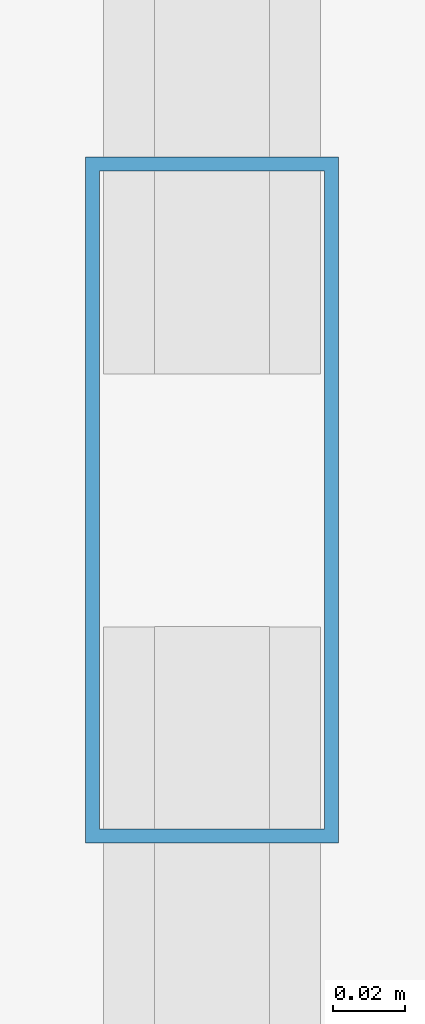
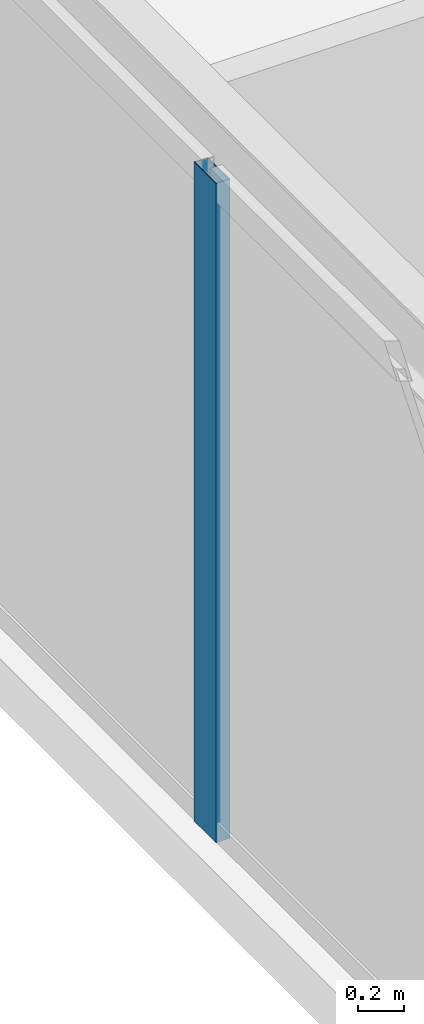
# One storey, part 6 of 33: 1 member, 1 element without a shape of its own.
"""IFC4 building model written with IfcOpenShell, lengths in metres."""

from ifc_helpers import new_model, si_unit, direction, frame, origin, origin_2d, place, context, subcontext, project, spatial, hollow_rectangle, extrude, source, transform, mapped, material, layer, layer_set, material_profile, profile_set, type_object, type_shapes, element, aggregate, save


model = new_model("IFC4")

# Units and contexts
model_context = context("Model", 3, precision=1e-05, world=origin(), true_north=direction((0.0, 1.0)))
body_context = subcontext(model_context, "Body", "Model", "MODEL_VIEW")
ifc_project = project(units=[si_unit("LENGTHUNIT", "METRE"), si_unit("AREAUNIT", "SQUARE_METRE"), si_unit("VOLUMEUNIT", "CUBIC_METRE"), si_unit("PLANEANGLEUNIT", "RADIAN"), si_unit("MASSUNIT", "GRAM", prefix="KILO")], contexts=[model_context])

# Site, building, storey
site_placement = place(None, origin())
site = spatial("IfcSite", under=ifc_project, at=site_placement, CompositionType="ELEMENT")
building_placement = place(site_placement, origin())
building = spatial("IfcBuilding", under=site, at=building_placement, Name="Varnel Quay Broadcast Tower", CompositionType="ELEMENT")
storey_placement = place(building_placement, frame((0.0, 0.0, 137.199951171875)))
storey = spatial("IfcBuildingStorey", under=building, at=storey_placement, Name="L33", CompositionType="ELEMENT", Elevation=137.199951171875)

# Curtain wall, member
ifc_material = material(Name="Anodised Bronze Aluminium 6063-T6", Category="aluminium")
ifc_layer = layer(ifc_material, 0.18994140625, Name="Anodised Bronze Aluminium 6063-T6")
ifc_layer_set = layer_set([ifc_layer], Name="Anodised Bronze Aluminium 6063-T6")
curtain_wall_type = type_object("IfcCurtainWallType", Name="CW_LowerTower", PredefinedType="NOTDEFINED", material=ifc_layer_set)
curtain_wall_placement = place(storey_placement, origin())
curtain_wall = element("IfcCurtainWall", 1, at=curtain_wall_placement, inside=storey, type_object=curtain_wall_type, Name="L33 West Unitised Curtain Wall", PredefinedType="NOTDEFINED")
ifc_material_profile = material_profile(ifc_material, hollow_rectangle(XDim=0.070068359375, YDim=0.18994140625, WallThickness=0.00390625, at=origin_2d()), Name="ALU70X190X4")
ifc_profile_set = profile_set([ifc_material_profile], Name="Anodised Bronze Aluminium 6063-T6")
member_type = type_object("IfcMemberType", Name="Mull_CWS-02", PredefinedType="MULLION", material=ifc_profile_set)
shared_shape = source(origin(), body_context, "Body", "SweptSolid", [
    extrude(hollow_rectangle(XDim=0.070068359375, YDim=0.18994140625, WallThickness=0.00390625, at=origin_2d()), origin(), (0.0, 0.0, 1.0), 3.47998046875),
])
type_shapes(member_type, [shared_shape])
member_placement = place(storey_placement, frame((4.64990234375, 19.60009765625, 0.0), z_axis=(0.0, 0.0, 1.0), x_axis=(-1.0, 0.0, 0.0)))
member = element("IfcMember", 2, at=member_placement, type_object=member_type, Name="CWS-02 mullion 2", PredefinedType="MULLION", context=body_context, shape_type="MappedRepresentation", body=[
    mapped(shared_shape, transform((0.0, 0.0, 0.0), x_axis=(1.0, 0.0, 0.0), y_axis=(0.0, 1.0, 0.0), z_axis=(0.0, 0.0, 1.0), scale=1.0)),
])
aggregate(curtain_wall, [member])

save(model, "model.ifc")
